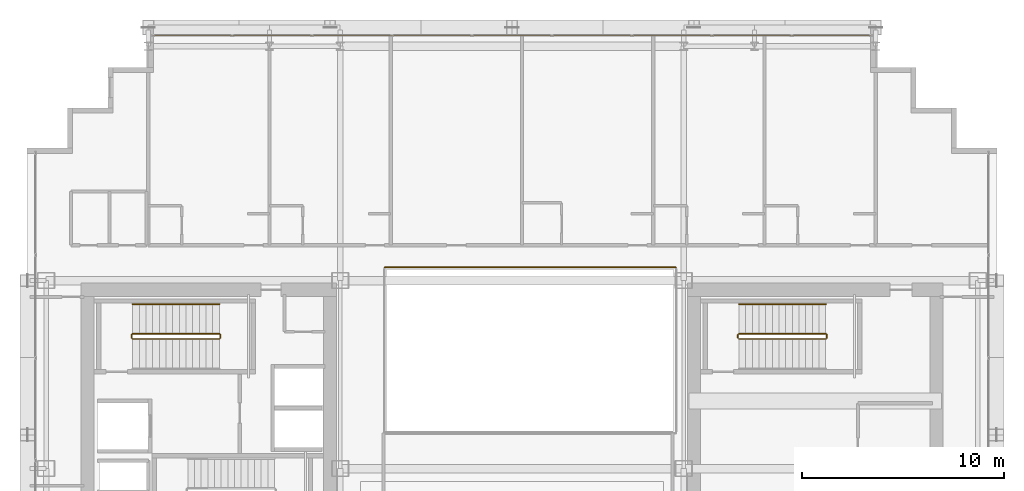
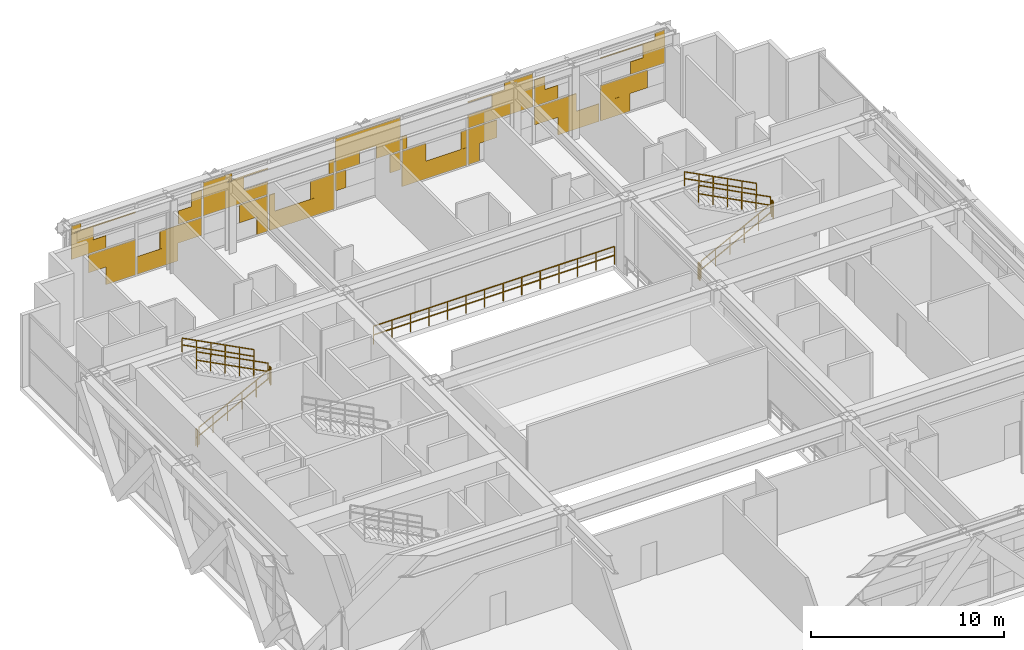
# One storey, part 38 of 38: 11 railings, 1 covering.
"""IFC4 building model written with IfcOpenShell, lengths in metres."""

from ifc_helpers import new_model, si_unit, direction, frame, origin, origin_2d, place, context, subcontext, project, spatial, rectangle, extrude, material, layer, layer_set, type_object, element, save


model = new_model("IFC4")

# Units and contexts
model_context = context("Model", 3, precision=1e-05, world=origin(), true_north=direction((0.0, 1.0)))
body_context = subcontext(model_context, "Body", "Model", "MODEL_VIEW")
ifc_project = project(units=[si_unit("LENGTHUNIT", "METRE"), si_unit("AREAUNIT", "SQUARE_METRE"), si_unit("VOLUMEUNIT", "CUBIC_METRE"), si_unit("PLANEANGLEUNIT", "RADIAN"), si_unit("MASSUNIT", "GRAM", prefix="KILO")], contexts=[model_context])

# Site, building, storey
site_placement = place(None, origin())
site = spatial("IfcSite", under=ifc_project, at=site_placement, CompositionType="ELEMENT")
building_placement = place(site_placement, origin())
building = spatial("IfcBuilding", under=site, at=building_placement, Name="Ocotamira Hotel", CompositionType="ELEMENT")
storey_placement = place(building_placement, frame((0.0, 0.0, 92.39990234375)))
storey = spatial("IfcBuildingStorey", under=building, at=storey_placement, Name="L22", CompositionType="ELEMENT", Elevation=92.39990234375)

# Covering
ifc_material_1 = material(Name="Insulated pale-metal aluminium spandrel panel", Category="aluminium")
ifc_layer = layer(ifc_material_1, 0.044921875)
ifc_layer_set = layer_set([ifc_layer], Name="Insulated pale-metal aluminium spandrel panel")
covering_type = type_object("IfcCoveringType", Name="COV-INFILL-45", PredefinedType="CLADDING", material=ifc_layer_set)
covering_placement = place(storey_placement, origin())
element("IfcCovering", 1, at=covering_placement, inside=storey, type_object=covering_type, Name="L22 Curtain Wall Infill CW-5 CW-L22-N", PredefinedType="CLADDING", context=body_context, shape_type="SweptSolid", body=[
    extrude(rectangle(XDim=2.8037109375, YDim=0.044921875, at=origin_2d()), frame((16.71337890625, 49.580078125, 1.1943359375), z_axis=(0.0, 0.0, 1.0), x_axis=(1.0, 0.0, 0.0)), (0.0, 0.0, 1.0), 1.117919921875),
    extrude(rectangle(XDim=1.763427734375, YDim=0.044921875, at=origin_2d()), frame((17.2333984375, 49.580078125, 0.07568359375), z_axis=(0.0, 0.0, 1.0), x_axis=(1.0, 0.0, 0.0)), (0.0, 0.0, 1.0), 1.117919921875),
    extrude(rectangle(XDim=2.052490234375, YDim=0.044921875, at=origin_2d()), frame((15.306884765625, 49.580078125, 2.387939453125), z_axis=(0.0, 0.0, 1.0), x_axis=(1.0, 0.0, 0.0)), (0.0, 0.0, 1.0), 0.79638671875),
    extrude(rectangle(XDim=1.311279296875, YDim=0.044921875, at=origin_2d()), frame((14.936279296875, 49.580078125, 3.185302734375), z_axis=(0.0, 0.0, 1.0), x_axis=(1.0, 0.0, 0.0)), (0.0, 0.0, 1.0), 0.79638671875),
    extrude(rectangle(XDim=3.834716796875, YDim=0.044921875, at=origin_2d()), frame((16.19775390625, 49.580078125, 3.982421875), z_axis=(0.0, 0.0, 1.0), x_axis=(1.0, 0.0, 0.0)), (0.0, 0.0, 1.0), 0.072998046875),
    extrude(rectangle(XDim=0.578125, YDim=0.044921875, at=origin_2d()), frame((14.569580078125, 49.580078125, 4.056640625), z_axis=(0.0, 0.0, 1.0), x_axis=(1.0, 0.0, 0.0)), (0.0, 0.0, 1.0), 0.427978515625),
    extrude(rectangle(XDim=2.452392578125, YDim=0.044921875, at=origin_2d()), frame((19.422119140625, 49.580078125, 0.07568359375), z_axis=(0.0, 0.0, 1.0), x_axis=(1.0, 0.0, 0.0)), (0.0, 0.0, 1.0), 1.117919921875),
    extrude(rectangle(XDim=2.513671875, YDim=0.044921875, at=origin_2d()), frame((20.813720703125, 49.580078125, 1.1943359375), z_axis=(0.0, 0.0, 1.0), x_axis=(1.0, 0.0, 0.0)), (0.0, 0.0, 1.0), 1.117919921875),
    extrude(rectangle(XDim=1.40380859375, YDim=0.044921875, at=origin_2d()), frame((21.36865234375, 49.580078125, 2.38818359375), z_axis=(0.0, 0.0, 1.0), x_axis=(1.0, 0.0, 0.0)), (0.0, 0.0, 1.0), 0.833251953125),
    extrude(rectangle(XDim=0.628173828125, YDim=0.044921875, at=origin_2d()), frame((21.756591796875, 49.580078125, 3.22216796875), z_axis=(0.0, 0.0, 1.0), x_axis=(1.0, 0.0, 0.0)), (0.0, 0.0, 1.0), 0.833251953125),
    extrude(rectangle(XDim=1.714599609375, YDim=0.044921875, at=origin_2d()), frame((25.168701171875, 49.580078125, 1.1943359375), z_axis=(0.0, 0.0, 1.0), x_axis=(1.0, 0.0, 0.0)), (0.0, 0.0, 1.0), 1.117919921875),
    extrude(rectangle(XDim=0.674560546875, YDim=0.044921875, at=origin_2d()), frame((25.68896484375, 49.580078125, 0.07568359375), z_axis=(0.0, 0.0, 1.0), x_axis=(1.0, 0.0, 0.0)), (0.0, 0.0, 1.0), 1.117919921875),
    extrude(rectangle(XDim=3.87451171875, YDim=0.044921875, at=origin_2d()), frame((24.0888671875, 49.580078125, 2.387939453125), z_axis=(0.0, 0.0, 1.0), x_axis=(1.0, 0.0, 0.0)), (0.0, 0.0, 1.0), 0.79638671875),
    extrude(rectangle(XDim=2.440185546875, YDim=0.044921875, at=origin_2d()), frame((23.37158203125, 49.580078125, 3.185302734375), z_axis=(0.0, 0.0, 1.0), x_axis=(1.0, 0.0, 0.0)), (0.0, 0.0, 1.0), 0.79638671875),
    extrude(rectangle(XDim=3.87451171875, YDim=0.044921875, at=origin_2d()), frame((24.0888671875, 49.580078125, 3.982421875), z_axis=(0.0, 0.0, 1.0), x_axis=(1.0, 0.0, 0.0)), (0.0, 0.0, 1.0), 0.072998046875),
    extrude(rectangle(XDim=1.70703125, YDim=0.044921875, at=origin_2d()), frame((23.005126953125, 49.580078125, 4.056640625), z_axis=(0.0, 0.0, 1.0), x_axis=(1.0, 0.0, 0.0)), (0.0, 0.0, 1.0), 0.427978515625),
    extrude(rectangle(XDim=3.87451171875, YDim=0.044921875, at=origin_2d()), frame((28.04443359375, 49.580078125, 0.07568359375), z_axis=(0.0, 0.0, 1.0), x_axis=(1.0, 0.0, 0.0)), (0.0, 0.0, 1.0), 1.117919921875),
    extrude(rectangle(XDim=0.3359375, YDim=0.044921875, at=origin_2d()), frame((26.275146484375, 49.580078125, 1.1943359375), z_axis=(0.0, 0.0, 1.0), x_axis=(1.0, 0.0, 0.0)), (0.0, 0.0, 1.0), 1.117919921875),
    extrude(rectangle(XDim=1.4248046875, YDim=0.044921875, at=origin_2d()), frame((29.269287109375, 49.580078125, 1.1943359375), z_axis=(0.0, 0.0, 1.0), x_axis=(1.0, 0.0, 0.0)), (0.0, 0.0, 1.0), 1.117919921875),
    extrude(rectangle(XDim=0.314697265625, YDim=0.044921875, at=origin_2d()), frame((29.82421875, 49.580078125, 2.38818359375), z_axis=(0.0, 0.0, 1.0), x_axis=(1.0, 0.0, 0.0)), (0.0, 0.0, 1.0), 0.833251953125),
    extrude(rectangle(XDim=0.625732421875, YDim=0.044921875, at=origin_2d()), frame((30.37548828125, 49.580078125, 1.1943359375), z_axis=(0.0, 0.0, 1.0), x_axis=(1.0, 0.0, 0.0)), (0.0, 0.0, 1.0), 1.117919921875),
    extrude(rectangle(XDim=0.625732421875, YDim=0.044921875, at=origin_2d()), frame((33.62451171875, 49.580078125, 1.1943359375), z_axis=(0.0, 0.0, 1.0), x_axis=(1.0, 0.0, 0.0)), (0.0, 0.0, 1.0), 1.117919921875),
    extrude(rectangle(XDim=1.436767578125, YDim=0.044921875, at=origin_2d()), frame((30.781005859375, 49.580078125, 2.387939453125), z_axis=(0.0, 0.0, 1.0), x_axis=(1.0, 0.0, 0.0)), (0.0, 0.0, 1.0), 0.79638671875),
    extrude(rectangle(XDim=3.87451171875, YDim=0.044921875, at=origin_2d()), frame((32.0, 49.580078125, 3.185302734375), z_axis=(0.0, 0.0, 1.0), x_axis=(1.0, 0.0, 0.0)), (0.0, 0.0, 1.0), 1.29931640625),
    extrude(rectangle(XDim=1.436767578125, YDim=0.044921875, at=origin_2d()), frame((33.218994140625, 49.580078125, 2.387939453125), z_axis=(0.0, 0.0, 1.0), x_axis=(1.0, 0.0, 0.0)), (0.0, 0.0, 1.0), 0.79638671875),
    extrude(rectangle(XDim=3.87451171875, YDim=0.044921875, at=origin_2d()), frame((35.95556640625, 49.580078125, 0.07568359375), z_axis=(0.0, 0.0, 1.0), x_axis=(1.0, 0.0, 0.0)), (0.0, 0.0, 1.0), 1.117919921875),
    extrude(rectangle(XDim=1.4248046875, YDim=0.044921875, at=origin_2d()), frame((34.730712890625, 49.580078125, 1.1943359375), z_axis=(0.0, 0.0, 1.0), x_axis=(1.0, 0.0, 0.0)), (0.0, 0.0, 1.0), 1.117919921875),
    extrude(rectangle(XDim=0.3359375, YDim=0.044921875, at=origin_2d()), frame((37.724853515625, 49.580078125, 1.1943359375), z_axis=(0.0, 0.0, 1.0), x_axis=(1.0, 0.0, 0.0)), (0.0, 0.0, 1.0), 1.117919921875),
    extrude(rectangle(XDim=0.314697265625, YDim=0.044921875, at=origin_2d()), frame((34.17578125, 49.580078125, 2.38818359375), z_axis=(0.0, 0.0, 1.0), x_axis=(1.0, 0.0, 0.0)), (0.0, 0.0, 1.0), 0.833251953125),
    extrude(rectangle(XDim=0.674560546875, YDim=0.044921875, at=origin_2d()), frame((38.31103515625, 49.580078125, 0.07568359375), z_axis=(0.0, 0.0, 1.0), x_axis=(1.0, 0.0, 0.0)), (0.0, 0.0, 1.0), 1.117919921875),
    extrude(rectangle(XDim=1.714599609375, YDim=0.044921875, at=origin_2d()), frame((38.831298828125, 49.580078125, 1.1943359375), z_axis=(0.0, 0.0, 1.0), x_axis=(1.0, 0.0, 0.0)), (0.0, 0.0, 1.0), 1.117919921875),
    extrude(rectangle(XDim=3.87451171875, YDim=0.044921875, at=origin_2d()), frame((39.9111328125, 49.580078125, 2.387939453125), z_axis=(0.0, 0.0, 1.0), x_axis=(1.0, 0.0, 0.0)), (0.0, 0.0, 1.0), 0.79638671875),
    extrude(rectangle(XDim=3.87451171875, YDim=0.044921875, at=origin_2d()), frame((39.9111328125, 49.580078125, 3.982421875), z_axis=(0.0, 0.0, 1.0), x_axis=(1.0, 0.0, 0.0)), (0.0, 0.0, 1.0), 0.072998046875),
    extrude(rectangle(XDim=2.440185546875, YDim=0.044921875, at=origin_2d()), frame((40.62841796875, 49.580078125, 3.185302734375), z_axis=(0.0, 0.0, 1.0), x_axis=(1.0, 0.0, 0.0)), (0.0, 0.0, 1.0), 0.79638671875),
    extrude(rectangle(XDim=1.70703125, YDim=0.044921875, at=origin_2d()), frame((40.994873046875, 49.580078125, 4.056640625), z_axis=(0.0, 0.0, 1.0), x_axis=(1.0, 0.0, 0.0)), (0.0, 0.0, 1.0), 0.427978515625),
    extrude(rectangle(XDim=2.513671875, YDim=0.044921875, at=origin_2d()), frame((43.186279296875, 49.580078125, 1.1943359375), z_axis=(0.0, 0.0, 1.0), x_axis=(1.0, 0.0, 0.0)), (0.0, 0.0, 1.0), 1.117919921875),
    extrude(rectangle(XDim=2.452392578125, YDim=0.044921875, at=origin_2d()), frame((44.577880859375, 49.580078125, 0.07568359375), z_axis=(0.0, 0.0, 1.0), x_axis=(1.0, 0.0, 0.0)), (0.0, 0.0, 1.0), 1.117919921875),
    extrude(rectangle(XDim=1.40380859375, YDim=0.044921875, at=origin_2d()), frame((42.63134765625, 49.580078125, 2.38818359375), z_axis=(0.0, 0.0, 1.0), x_axis=(1.0, 0.0, 0.0)), (0.0, 0.0, 1.0), 0.833251953125),
    extrude(rectangle(XDim=0.628173828125, YDim=0.044921875, at=origin_2d()), frame((42.243408203125, 49.580078125, 3.22216796875), z_axis=(0.0, 0.0, 1.0), x_axis=(1.0, 0.0, 0.0)), (0.0, 0.0, 1.0), 0.833251953125),
    extrude(rectangle(XDim=1.763427734375, YDim=0.044921875, at=origin_2d()), frame((46.7666015625, 49.580078125, 0.07568359375), z_axis=(0.0, 0.0, 1.0), x_axis=(1.0, 0.0, 0.0)), (0.0, 0.0, 1.0), 1.117919921875),
    extrude(rectangle(XDim=2.8037109375, YDim=0.044921875, at=origin_2d()), frame((47.28662109375, 49.580078125, 1.1943359375), z_axis=(0.0, 0.0, 1.0), x_axis=(1.0, 0.0, 0.0)), (0.0, 0.0, 1.0), 1.117919921875),
    extrude(rectangle(XDim=3.834716796875, YDim=0.044921875, at=origin_2d()), frame((47.80224609375, 49.580078125, 3.982421875), z_axis=(0.0, 0.0, 1.0), x_axis=(1.0, 0.0, 0.0)), (0.0, 0.0, 1.0), 0.072998046875),
    extrude(rectangle(XDim=2.052490234375, YDim=0.044921875, at=origin_2d()), frame((48.693115234375, 49.580078125, 2.387939453125), z_axis=(0.0, 0.0, 1.0), x_axis=(1.0, 0.0, 0.0)), (0.0, 0.0, 1.0), 0.79638671875),
    extrude(rectangle(XDim=1.311279296875, YDim=0.044921875, at=origin_2d()), frame((49.063720703125, 49.580078125, 3.185302734375), z_axis=(0.0, 0.0, 1.0), x_axis=(1.0, 0.0, 0.0)), (0.0, 0.0, 1.0), 0.79638671875),
    extrude(rectangle(XDim=0.578125, YDim=0.044921875, at=origin_2d()), frame((49.430419921875, 49.580078125, 4.056640625), z_axis=(0.0, 0.0, 1.0), x_axis=(1.0, 0.0, 0.0)), (0.0, 0.0, 1.0), 0.427978515625),
])

# Railings
ifc_material_2 = material(Name="Painted steel stair guardrail", Category="steel")
railing_type_1 = type_object("IfcRailingType", Name="RL-EDGE-1150", PredefinedType="GUARDRAIL", material=ifc_material_2)
railing_1_placement = place(storey_placement, frame((40.10009765625, 38.10009765625, 0.0)))
element("IfcRailing", 2, at=railing_1_placement, inside=storey, type_object=railing_type_1, Name="L22 Atrium Bridge Lightwell Guard N N", PredefinedType="GUARDRAIL", context=body_context, shape_type="SweptSolid", body=[
    extrude(rectangle(XDim=0.048095703125, YDim=0.048095703125, at=origin_2d()), frame((0.0, 0.0, 1.1259765625), z_axis=(-1.0, 0.0, 0.0), x_axis=(0.0, -1.0, 0.0)), (0.0, 0.0, 1.0), 14.400146484375),
    extrude(rectangle(XDim=0.048095703125, YDim=0.048095703125, at=origin_2d()), frame((0.0, 0.0, 0.574951171875), z_axis=(-1.0, 0.0, 0.0), x_axis=(0.0, -1.0, 0.0)), (0.0, 0.0, 1.0), 14.400146484375),
    extrude(rectangle(XDim=0.0419921875, YDim=0.0419921875, at=origin_2d()), origin(), (0.0, 0.0, 1.0), 1.101806640625),
    extrude(rectangle(XDim=0.0419921875, YDim=0.0419921875, at=origin_2d()), frame((-1.107666015625, 0.0, 0.0)), (0.0, 0.0, 1.0), 1.101806640625),
    extrude(rectangle(XDim=0.0419921875, YDim=0.0419921875, at=origin_2d()), frame((-2.21533203125, 0.0, 0.0)), (0.0, 0.0, 1.0), 1.101806640625),
    extrude(rectangle(XDim=0.0419921875, YDim=0.0419921875, at=origin_2d()), frame((-3.322998046875, 0.0, 0.0)), (0.0, 0.0, 1.0), 1.101806640625),
    extrude(rectangle(XDim=0.0419921875, YDim=0.0419921875, at=origin_2d()), frame((-4.430908203125, 0.0, 0.0)), (0.0, 0.0, 1.0), 1.101806640625),
    extrude(rectangle(XDim=0.0419921875, YDim=0.0419921875, at=origin_2d()), frame((-5.53857421875, 0.0, 0.0)), (0.0, 0.0, 1.0), 1.101806640625),
    extrude(rectangle(XDim=0.0419921875, YDim=0.0419921875, at=origin_2d()), frame((-6.646240234375, 0.0, 0.0)), (0.0, 0.0, 1.0), 1.101806640625),
    extrude(rectangle(XDim=0.0419921875, YDim=0.0419921875, at=origin_2d()), frame((-7.75390625, 0.0, 0.0)), (0.0, 0.0, 1.0), 1.101806640625),
    extrude(rectangle(XDim=0.0419921875, YDim=0.0419921875, at=origin_2d()), frame((-8.861572265625, 0.0, 0.0)), (0.0, 0.0, 1.0), 1.101806640625),
    extrude(rectangle(XDim=0.0419921875, YDim=0.0419921875, at=origin_2d()), frame((-9.96923828125, 0.0, 0.0)), (0.0, 0.0, 1.0), 1.101806640625),
    extrude(rectangle(XDim=0.0419921875, YDim=0.0419921875, at=origin_2d()), frame((-11.0771484375, 0.0, 0.0)), (0.0, 0.0, 1.0), 1.101806640625),
    extrude(rectangle(XDim=0.0419921875, YDim=0.0419921875, at=origin_2d()), frame((-12.184814453125, 0.0, 0.0)), (0.0, 0.0, 1.0), 1.101806640625),
    extrude(rectangle(XDim=0.0419921875, YDim=0.0419921875, at=origin_2d()), frame((-13.29248046875, 0.0, 0.0)), (0.0, 0.0, 1.0), 1.101806640625),
    extrude(rectangle(XDim=0.0419921875, YDim=0.0419921875, at=origin_2d()), frame((-14.400146484375, 0.0, 0.0)), (0.0, 0.0, 1.0), 1.101806640625),
])
ifc_material_3 = material(Name="Brushed stainless steel handrail", Category="steel")
railing_type_2 = type_object("IfcRailingType", Name="RL-HAND-900", PredefinedType="HANDRAIL", material=ifc_material_3)
for number, where, name in (
    (3, (17.52001953125, 36.280029296875, 2.742919921875), "L22 ST-2 stair handrail 2"),
    (4, (47.52001953125, 36.280029296875, 2.742919921875), "L22 ST-4 stair handrail 2"),
):
    element("IfcRailing", number, at=place(storey_placement, frame(where)), inside=storey, type_object=railing_type_2, Name=name, PredefinedType="HANDRAIL", context=body_context, shape_type="SweptSolid", body=[
        extrude(rectangle(XDim=0.048095703125, YDim=0.048095703125, at=origin_2d()), frame((0.0, 0.0, 0.8759765625), z_axis=(-0.887411858541, 0.0, 0.46097743255), x_axis=(0.0, -1.0, 0.0)), (0.0, 0.0, 1.0), 4.834228515625),
        extrude(rectangle(XDim=0.048095703125, YDim=0.048095703125, at=origin_2d()), frame((0.0, 0.0, 0.449951171875), z_axis=(-0.887411858541, 0.0, 0.46097743255), x_axis=(0.0, -1.0, 0.0)), (0.0, 0.0, 1.0), 4.834228515625),
        extrude(rectangle(XDim=0.0419921875, YDim=0.0419921875, at=origin_2d()), origin(), (0.0, 0.0, 1.0), 0.851806640625),
        extrude(rectangle(XDim=0.0419921875, YDim=0.0419921875, at=origin_2d()), frame((-0.85791015625, 0.0, 0.44580078125)), (0.0, 0.0, 1.0), 0.851806640625),
        extrude(rectangle(XDim=0.0419921875, YDim=0.0419921875, at=origin_2d()), frame((-1.716064453125, 0.0, 0.891357421875)), (0.0, 0.0, 1.0), 0.851806640625),
        extrude(rectangle(XDim=0.0419921875, YDim=0.0419921875, at=origin_2d()), frame((-2.573974609375, 0.0, 1.337158203125)), (0.0, 0.0, 1.0), 0.851806640625),
        extrude(rectangle(XDim=0.0419921875, YDim=0.0419921875, at=origin_2d()), frame((-3.43212890625, 0.0, 1.78271484375)), (0.0, 0.0, 1.0), 0.851806640625),
        extrude(rectangle(XDim=0.0419921875, YDim=0.0419921875, at=origin_2d()), frame((-4.2900390625, 0.0, 2.228515625)), (0.0, 0.0, 1.0), 0.851806640625),
    ])
railing_type_3 = type_object("IfcRailingType", Name="RL-STAIR-1100", PredefinedType="GUARDRAIL", material=ifc_material_2)
railing_2_placement = place(storey_placement, frame((13.22998046875, 34.56005859375, 0.171630859375)))
element("IfcRailing", 5, at=railing_2_placement, inside=storey, type_object=railing_type_3, Name="L22 ST-2 stair guard 1", PredefinedType="GUARDRAIL", context=body_context, shape_type="SweptSolid", body=[
    extrude(rectangle(XDim=0.048095703125, YDim=0.048095703125, at=origin_2d()), frame((0.0, 0.0, 1.076171875), z_axis=(0.887411858541, 0.0, 0.46097743255), x_axis=(0.0, 1.0, 0.0)), (0.0, 0.0, 1.0), 4.834228515625),
    extrude(rectangle(XDim=0.048095703125, YDim=0.048095703125, at=origin_2d()), frame((0.0, 0.0, 0.550048828125), z_axis=(0.887411858541, 0.0, 0.46097743255), x_axis=(0.0, 1.0, 0.0)), (0.0, 0.0, 1.0), 4.834228515625),
    extrude(rectangle(XDim=0.0419921875, YDim=0.0419921875, at=origin_2d()), origin(), (0.0, 0.0, 1.0), 1.052001953125),
    extrude(rectangle(XDim=0.0419921875, YDim=0.0419921875, at=origin_2d()), frame((0.85791015625, 0.0, 0.44580078125)), (0.0, 0.0, 1.0), 1.052001953125),
    extrude(rectangle(XDim=0.0419921875, YDim=0.0419921875, at=origin_2d()), frame((1.716064453125, 0.0, 0.891357421875)), (0.0, 0.0, 1.0), 1.052001953125),
    extrude(rectangle(XDim=0.0419921875, YDim=0.0419921875, at=origin_2d()), frame((2.573974609375, 0.0, 1.337158203125)), (0.0, 0.0, 1.0), 1.052001953125),
    extrude(rectangle(XDim=0.0419921875, YDim=0.0419921875, at=origin_2d()), frame((3.43212890625, 0.0, 1.78271484375)), (0.0, 0.0, 1.0), 1.052001953125),
    extrude(rectangle(XDim=0.0419921875, YDim=0.0419921875, at=origin_2d()), frame((4.2900390625, 0.0, 2.228515625)), (0.0, 0.0, 1.0), 1.052001953125),
])
railing_3_placement = place(storey_placement, frame((17.570068359375, 34.610107421875, 2.400146484375)))
element("IfcRailing", 6, at=railing_3_placement, inside=storey, type_object=railing_type_3, Name="L22 ST-2 stair guard 2", PredefinedType="GUARDRAIL", context=body_context, shape_type="SweptSolid", body=[
    extrude(rectangle(XDim=0.048095703125, YDim=0.048095703125, at=origin_2d()), frame((0.0, 0.0, 1.076171875), z_axis=(0.0, 1.0, 0.0), x_axis=(-1.0, 0.0, 0.0)), (0.0, 0.0, 1.0), 0.159912109375),
    extrude(rectangle(XDim=0.048095703125, YDim=0.048095703125, at=origin_2d()), frame((0.0, 0.0, 0.550048828125), z_axis=(0.0, 1.0, 0.0), x_axis=(-1.0, 0.0, 0.0)), (0.0, 0.0, 1.0), 0.159912109375),
    extrude(rectangle(XDim=0.0419921875, YDim=0.0419921875, at=origin_2d()), origin(), (0.0, 0.0, 1.0), 1.052001953125),
    extrude(rectangle(XDim=0.0419921875, YDim=0.0419921875, at=origin_2d()), frame((0.0, 0.159912109375, 0.0)), (0.0, 0.0, 1.0), 1.052001953125),
])
railing_4_placement = place(storey_placement, frame((17.52001953125, 34.820068359375, 2.571533203125)))
element("IfcRailing", 7, at=railing_4_placement, inside=storey, type_object=railing_type_3, Name="L22 ST-2 stair guard 3", PredefinedType="GUARDRAIL", context=body_context, shape_type="SweptSolid", body=[
    extrude(rectangle(XDim=0.048095703125, YDim=0.048095703125, at=origin_2d()), frame((0.0, 0.0, 1.076171875), z_axis=(-0.887411858541, 0.0, 0.46097743255), x_axis=(0.0, -1.0, 0.0)), (0.0, 0.0, 1.0), 4.834228515625),
    extrude(rectangle(XDim=0.048095703125, YDim=0.048095703125, at=origin_2d()), frame((0.0, 0.0, 0.550048828125), z_axis=(-0.887411858541, 0.0, 0.46097743255), x_axis=(0.0, -1.0, 0.0)), (0.0, 0.0, 1.0), 4.834228515625),
    extrude(rectangle(XDim=0.0419921875, YDim=0.0419921875, at=origin_2d()), origin(), (0.0, 0.0, 1.0), 1.052001953125),
    extrude(rectangle(XDim=0.0419921875, YDim=0.0419921875, at=origin_2d()), frame((-0.85791015625, 0.0, 0.44580078125)), (0.0, 0.0, 1.0), 1.052001953125),
    extrude(rectangle(XDim=0.0419921875, YDim=0.0419921875, at=origin_2d()), frame((-1.716064453125, 0.0, 0.891357421875)), (0.0, 0.0, 1.0), 1.052001953125),
    extrude(rectangle(XDim=0.0419921875, YDim=0.0419921875, at=origin_2d()), frame((-2.573974609375, 0.0, 1.337158203125)), (0.0, 0.0, 1.0), 1.052001953125),
    extrude(rectangle(XDim=0.0419921875, YDim=0.0419921875, at=origin_2d()), frame((-3.43212890625, 0.0, 1.78271484375)), (0.0, 0.0, 1.0), 1.052001953125),
    extrude(rectangle(XDim=0.0419921875, YDim=0.0419921875, at=origin_2d()), frame((-4.2900390625, 0.0, 2.228515625)), (0.0, 0.0, 1.0), 1.052001953125),
])
railing_5_placement = place(storey_placement, frame((13.179931640625, 34.610107421875, 0.0)))
element("IfcRailing", 8, at=railing_5_placement, inside=storey, type_object=railing_type_3, Name="L22 ST-2 stair guard 4", PredefinedType="GUARDRAIL", context=body_context, shape_type="SweptSolid", body=[
    extrude(rectangle(XDim=0.048095703125, YDim=0.048095703125, at=origin_2d()), frame((0.0, 0.0, 1.076171875), z_axis=(0.0, 1.0, 0.0), x_axis=(-1.0, 0.0, 0.0)), (0.0, 0.0, 1.0), 0.159912109375),
    extrude(rectangle(XDim=0.048095703125, YDim=0.048095703125, at=origin_2d()), frame((0.0, 0.0, 0.550048828125), z_axis=(0.0, 1.0, 0.0), x_axis=(-1.0, 0.0, 0.0)), (0.0, 0.0, 1.0), 0.159912109375),
    extrude(rectangle(XDim=0.0419921875, YDim=0.0419921875, at=origin_2d()), origin(), (0.0, 0.0, 1.0), 1.052001953125),
    extrude(rectangle(XDim=0.0419921875, YDim=0.0419921875, at=origin_2d()), frame((0.0, 0.159912109375, 0.0)), (0.0, 0.0, 1.0), 1.052001953125),
])
railing_6_placement = place(storey_placement, frame((43.22998046875, 34.56005859375, 0.171630859375)))
element("IfcRailing", 9, at=railing_6_placement, inside=storey, type_object=railing_type_3, Name="L22 ST-4 stair guard 1", PredefinedType="GUARDRAIL", context=body_context, shape_type="SweptSolid", body=[
    extrude(rectangle(XDim=0.048095703125, YDim=0.048095703125, at=origin_2d()), frame((0.0, 0.0, 1.076171875), z_axis=(0.887411858541, 0.0, 0.46097743255), x_axis=(0.0, 1.0, 0.0)), (0.0, 0.0, 1.0), 4.834228515625),
    extrude(rectangle(XDim=0.048095703125, YDim=0.048095703125, at=origin_2d()), frame((0.0, 0.0, 0.550048828125), z_axis=(0.887411858541, 0.0, 0.46097743255), x_axis=(0.0, 1.0, 0.0)), (0.0, 0.0, 1.0), 4.834228515625),
    extrude(rectangle(XDim=0.0419921875, YDim=0.0419921875, at=origin_2d()), origin(), (0.0, 0.0, 1.0), 1.052001953125),
    extrude(rectangle(XDim=0.0419921875, YDim=0.0419921875, at=origin_2d()), frame((0.85791015625, 0.0, 0.44580078125)), (0.0, 0.0, 1.0), 1.052001953125),
    extrude(rectangle(XDim=0.0419921875, YDim=0.0419921875, at=origin_2d()), frame((1.716064453125, 0.0, 0.891357421875)), (0.0, 0.0, 1.0), 1.052001953125),
    extrude(rectangle(XDim=0.0419921875, YDim=0.0419921875, at=origin_2d()), frame((2.573974609375, 0.0, 1.337158203125)), (0.0, 0.0, 1.0), 1.052001953125),
    extrude(rectangle(XDim=0.0419921875, YDim=0.0419921875, at=origin_2d()), frame((3.43212890625, 0.0, 1.78271484375)), (0.0, 0.0, 1.0), 1.052001953125),
    extrude(rectangle(XDim=0.0419921875, YDim=0.0419921875, at=origin_2d()), frame((4.2900390625, 0.0, 2.228515625)), (0.0, 0.0, 1.0), 1.052001953125),
])
railing_7_placement = place(storey_placement, frame((47.570068359375, 34.610107421875, 2.400146484375)))
element("IfcRailing", 10, at=railing_7_placement, inside=storey, type_object=railing_type_3, Name="L22 ST-4 stair guard 2", PredefinedType="GUARDRAIL", context=body_context, shape_type="SweptSolid", body=[
    extrude(rectangle(XDim=0.048095703125, YDim=0.048095703125, at=origin_2d()), frame((0.0, 0.0, 1.076171875), z_axis=(0.0, 1.0, 0.0), x_axis=(-1.0, 0.0, 0.0)), (0.0, 0.0, 1.0), 0.159912109375),
    extrude(rectangle(XDim=0.048095703125, YDim=0.048095703125, at=origin_2d()), frame((0.0, 0.0, 0.550048828125), z_axis=(0.0, 1.0, 0.0), x_axis=(-1.0, 0.0, 0.0)), (0.0, 0.0, 1.0), 0.159912109375),
    extrude(rectangle(XDim=0.0419921875, YDim=0.0419921875, at=origin_2d()), origin(), (0.0, 0.0, 1.0), 1.052001953125),
    extrude(rectangle(XDim=0.0419921875, YDim=0.0419921875, at=origin_2d()), frame((0.0, 0.159912109375, 0.0)), (0.0, 0.0, 1.0), 1.052001953125),
])
railing_8_placement = place(storey_placement, frame((47.52001953125, 34.820068359375, 2.571533203125)))
element("IfcRailing", 11, at=railing_8_placement, inside=storey, type_object=railing_type_3, Name="L22 ST-4 stair guard 3", PredefinedType="GUARDRAIL", context=body_context, shape_type="SweptSolid", body=[
    extrude(rectangle(XDim=0.048095703125, YDim=0.048095703125, at=origin_2d()), frame((0.0, 0.0, 1.076171875), z_axis=(-0.887411858541, 0.0, 0.46097743255), x_axis=(0.0, -1.0, 0.0)), (0.0, 0.0, 1.0), 4.834228515625),
    extrude(rectangle(XDim=0.048095703125, YDim=0.048095703125, at=origin_2d()), frame((0.0, 0.0, 0.550048828125), z_axis=(-0.887411858541, 0.0, 0.46097743255), x_axis=(0.0, -1.0, 0.0)), (0.0, 0.0, 1.0), 4.834228515625),
    extrude(rectangle(XDim=0.0419921875, YDim=0.0419921875, at=origin_2d()), origin(), (0.0, 0.0, 1.0), 1.052001953125),
    extrude(rectangle(XDim=0.0419921875, YDim=0.0419921875, at=origin_2d()), frame((-0.85791015625, 0.0, 0.44580078125)), (0.0, 0.0, 1.0), 1.052001953125),
    extrude(rectangle(XDim=0.0419921875, YDim=0.0419921875, at=origin_2d()), frame((-1.716064453125, 0.0, 0.891357421875)), (0.0, 0.0, 1.0), 1.052001953125),
    extrude(rectangle(XDim=0.0419921875, YDim=0.0419921875, at=origin_2d()), frame((-2.573974609375, 0.0, 1.337158203125)), (0.0, 0.0, 1.0), 1.052001953125),
    extrude(rectangle(XDim=0.0419921875, YDim=0.0419921875, at=origin_2d()), frame((-3.43212890625, 0.0, 1.78271484375)), (0.0, 0.0, 1.0), 1.052001953125),
    extrude(rectangle(XDim=0.0419921875, YDim=0.0419921875, at=origin_2d()), frame((-4.2900390625, 0.0, 2.228515625)), (0.0, 0.0, 1.0), 1.052001953125),
])
railing_9_placement = place(storey_placement, frame((43.179931640625, 34.610107421875, 0.0)))
element("IfcRailing", 12, at=railing_9_placement, inside=storey, type_object=railing_type_3, Name="L22 ST-4 stair guard 4", PredefinedType="GUARDRAIL", context=body_context, shape_type="SweptSolid", body=[
    extrude(rectangle(XDim=0.048095703125, YDim=0.048095703125, at=origin_2d()), frame((0.0, 0.0, 1.076171875), z_axis=(0.0, 1.0, 0.0), x_axis=(-1.0, 0.0, 0.0)), (0.0, 0.0, 1.0), 0.159912109375),
    extrude(rectangle(XDim=0.048095703125, YDim=0.048095703125, at=origin_2d()), frame((0.0, 0.0, 0.550048828125), z_axis=(0.0, 1.0, 0.0), x_axis=(-1.0, 0.0, 0.0)), (0.0, 0.0, 1.0), 0.159912109375),
    extrude(rectangle(XDim=0.0419921875, YDim=0.0419921875, at=origin_2d()), origin(), (0.0, 0.0, 1.0), 1.052001953125),
    extrude(rectangle(XDim=0.0419921875, YDim=0.0419921875, at=origin_2d()), frame((0.0, 0.159912109375, 0.0)), (0.0, 0.0, 1.0), 1.052001953125),
])

save(model, "model.ifc")
